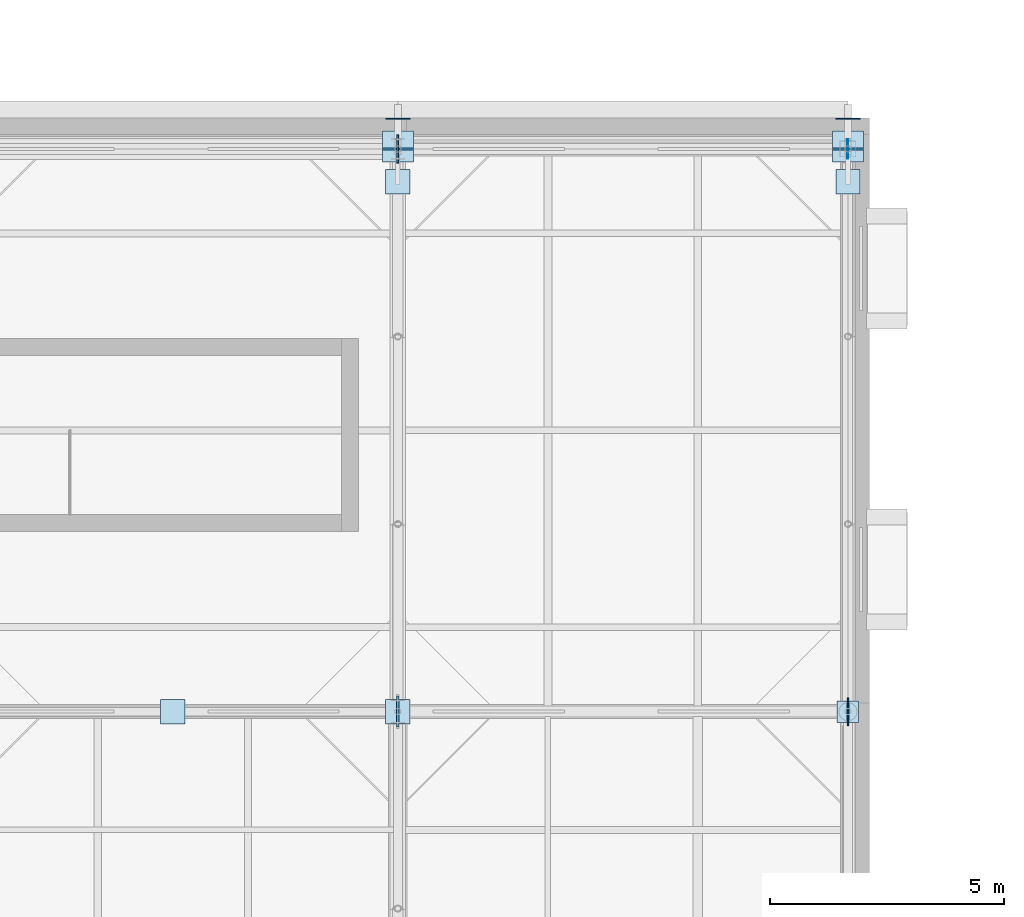
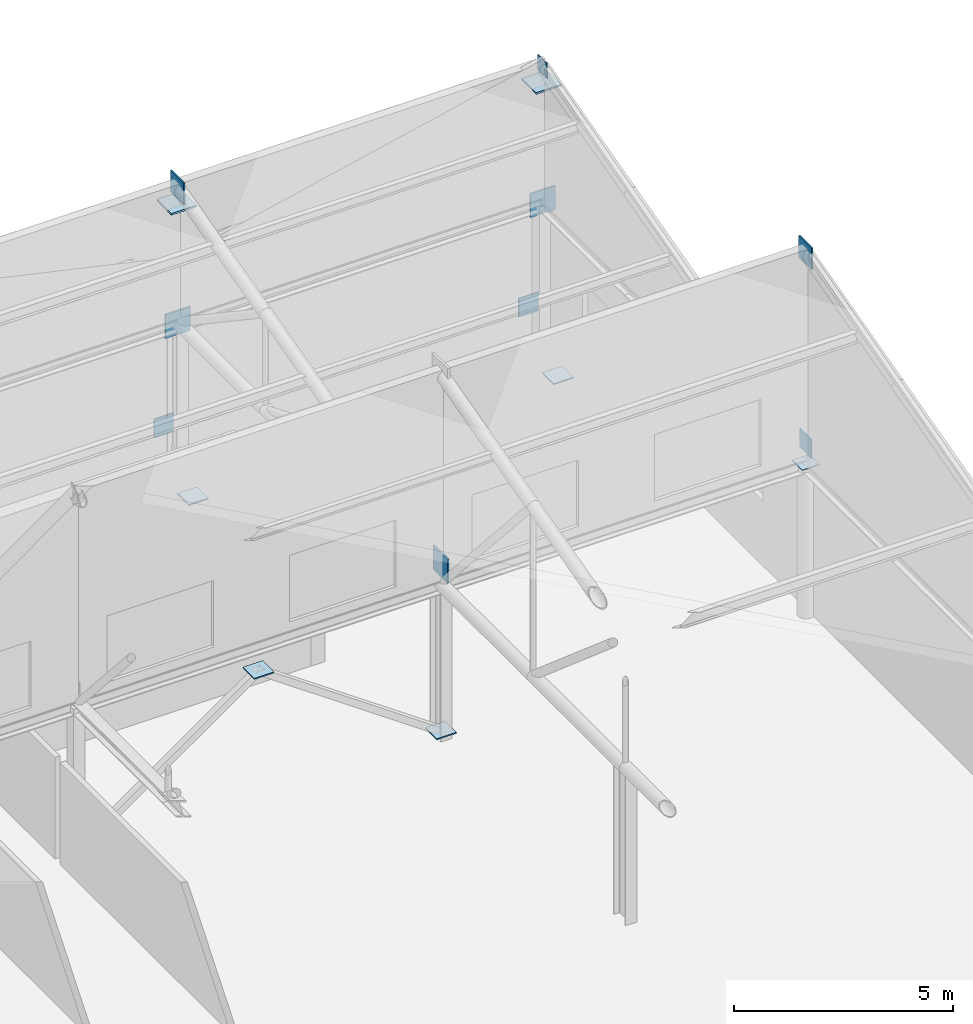
# One storey, part 76 of 89: 16 plates.
"""IFC4 building model written with IfcOpenShell, lengths in metres."""

from ifc_helpers import new_model, si_unit, direction, frame, origin, origin_2d, place, context, subcontext, project, spatial, rectangle, extrude, material, layer, layer_set, type_object, element, save


model = new_model("IFC4")

# Units and contexts
model_context = context("Model", 3, precision=1e-05, world=origin(), true_north=direction((0.0, 1.0)))
body_context = subcontext(model_context, "Body", "Model", "MODEL_VIEW")
ifc_project = project(units=[si_unit("LENGTHUNIT", "METRE"), si_unit("AREAUNIT", "SQUARE_METRE"), si_unit("VOLUMEUNIT", "CUBIC_METRE"), si_unit("PLANEANGLEUNIT", "RADIAN"), si_unit("MASSUNIT", "GRAM", prefix="KILO")], contexts=[model_context])

# Site, building, storey
site_placement = place(None, origin())
site = spatial("IfcSite", under=ifc_project, at=site_placement, CompositionType="ELEMENT")
building_placement = place(site_placement, origin())
building = spatial("IfcBuilding", under=site, at=building_placement, Name="Zereglee Splitstone Museum", CompositionType="ELEMENT")
storey_placement = place(building_placement, frame((0.0, 0.0, 21.300048828125)))
storey = spatial("IfcBuildingStorey", under=building, at=storey_placement, Name="L04", CompositionType="ELEMENT", Elevation=21.300048828125)

# Plates
ifc_material = material(Name="Steel S355J2", Category="steel")
ifc_layer_1 = layer(ifc_material, 0.02001953125)
ifc_layer_set_1 = layer_set([ifc_layer_1], Name="Steel S355J2")
plate_type_1 = type_object("IfcPlateType", Name="EC-01", PredefinedType="SHEET", material=ifc_layer_set_1)
plate_1_placement = place(storey_placement, frame((145.199951171875, 38.39990234375, 4.199951171875), z_axis=(0.0, 0.0, 1.0), x_axis=(1.0, 0.0, 0.0)))
element("IfcPlate", 1, at=plate_1_placement, inside=storey, type_object=plate_type_1, Name="Hollow Column End-Cap Plate EC-01 (145.2,38.4)", PredefinedType="SHEET", context=body_context, shape_type="SweptSolid", body=[
    extrude(rectangle(XDim=0.4599609375, YDim=0.4599609375, at=origin_2d()), origin(), (0.0, 0.0, 1.0), 0.02001953125),
])
ifc_layer_2 = layer(ifc_material, 0.02001953125)
ifc_layer_set_2 = layer_set([ifc_layer_2], Name="Steel S355J2")
plate_type_2 = type_object("IfcPlateType", Name="NP-05", PredefinedType="SHEET", material=ifc_layer_set_2)
plate_2_placement = place(storey_placement, frame((145.199951171875, 50.39990234375, 7.739990234375), z_axis=(0.0, 0.0, 1.0), x_axis=(1.0, 0.0, 0.0)))
element("IfcPlate", 2, at=plate_2_placement, inside=storey, type_object=plate_type_2, Name="Sawtooth Truss Node Plate TN-08-3.3", PredefinedType="SHEET", context=body_context, shape_type="SweptSolid", body=[
    extrude(rectangle(XDim=0.02001953125, YDim=0.419921875, at=origin_2d()), origin(), (0.0, 0.0, 1.0), 0.419921875),
])
ifc_layer_3 = layer(ifc_material, 0.030029296875)
ifc_layer_set_3 = layer_set([ifc_layer_3], Name="Steel S355J2")
plate_type_3 = type_object("IfcPlateType", Name="NP-04", PredefinedType="SHEET", material=ifc_layer_set_3)
plate_3_placement = place(storey_placement, frame((145.199951171875, 38.39990234375, 4.489990234375), z_axis=(0.0, 0.0, 1.0), x_axis=(1.0, 0.0, 0.0)))
element("IfcPlate", 3, at=plate_3_placement, inside=storey, type_object=plate_type_3, Name="Sawtooth Truss Node Plate TN-08-3.0", PredefinedType="SHEET", context=body_context, shape_type="SweptSolid", body=[
    extrude(rectangle(XDim=0.030029296875, YDim=0.52001953125, at=origin_2d()), origin(), (0.0, 0.0, 1.0), 0.52001953125),
])
for number, where, z_axis, x_axis, name in (
    (4, (135.60009765625, 38.39990234375, 0.10498046875), (0.0, 0.0, 1.0), (1.0, 0.0, 0.0), "CBF Brace Gusset Cap L04-014"),
    (5, (130.800048828125, 38.39990234375, 3.46484375), (0.0, 0.0, 1.0), (1.0, 0.0, 0.0), "CBF Brace Gusset Cap L04-014"),
    (6, (135.60009765625, 49.699951171875, -0.23486328125), (0.0, 0.0, 1.0), (1.0, 0.0, 0.0), "Facet Tie Seal Plate FH-V2NE"),
):
    element("IfcPlate", number, at=place(storey_placement, frame(where, z_axis=z_axis, x_axis=x_axis)), inside=storey, type_object=plate_type_3, Name=name, PredefinedType="SHEET", context=body_context, shape_type="SweptSolid", body=[
        extrude(rectangle(XDim=0.52001953125, YDim=0.52001953125, at=origin_2d()), origin(), (0.0, 0.0, 1.0), 0.030029296875),
    ])
plate_4_placement = place(storey_placement, frame((135.60009765625, 51.04443359375, 0.679931640625), z_axis=(0.0, 0.0, 1.0), x_axis=(1.0, 0.0, 0.0)))
element("IfcPlate", 7, at=plate_4_placement, inside=storey, type_object=plate_type_3, Name="Facet Tie Seal Plate FH-V2NE", PredefinedType="SHEET", context=body_context, shape_type="SweptSolid", body=[
    extrude(rectangle(XDim=0.52001953125, YDim=0.030029296875, at=origin_2d()), origin(), (0.0, 0.0, 1.0), 0.52001953125),
])
plate_5_placement = place(storey_placement, frame((145.199951171875, 49.699951171875, -0.23486328125), z_axis=(0.0, 0.0, 1.0), x_axis=(1.0, 0.0, 0.0)))
element("IfcPlate", 8, at=plate_5_placement, inside=storey, type_object=plate_type_3, Name="Facet Tie Seal Plate FH-V2NE", PredefinedType="SHEET", context=body_context, shape_type="SweptSolid", body=[
    extrude(rectangle(XDim=0.52001953125, YDim=0.52001953125, at=origin_2d()), origin(), (0.0, 0.0, 1.0), 0.030029296875),
])
plate_6_placement = place(storey_placement, frame((145.199951171875, 51.04443359375, 0.679931640625), z_axis=(0.0, 0.0, 1.0), x_axis=(1.0, 0.0, 0.0)))
element("IfcPlate", 9, at=plate_6_placement, inside=storey, type_object=plate_type_3, Name="Facet Tie Seal Plate FH-V2NE", PredefinedType="SHEET", context=body_context, shape_type="SweptSolid", body=[
    extrude(rectangle(XDim=0.52001953125, YDim=0.030029296875, at=origin_2d()), origin(), (0.0, 0.0, 1.0), 0.52001953125),
])
ifc_layer_4 = layer(ifc_material, 0.0400390625)
ifc_layer_set_4 = layer_set([ifc_layer_4], Name="Steel S355J2")
plate_type_4 = type_object("IfcPlateType", Name="NP-03", PredefinedType="SHEET", material=ifc_layer_set_4)
for number, where, z_axis, x_axis, name in (
    (10, (135.60009765625, 50.39990234375, 7.64990234375), (0.0, 0.0, 1.0), (1.0, 0.0, 0.0), "Sawtooth Truss Node Plate TN-07-3.3"),
    (11, (145.199951171875, 38.39990234375, 9.75), (0.0, 0.0, 1.0), (1.0, 0.0, 0.0), "Sawtooth Truss Node Plate TN-08-2.4"),
):
    element("IfcPlate", number, at=place(storey_placement, frame(where, z_axis=z_axis, x_axis=x_axis)), inside=storey, type_object=plate_type_4, Name=name, PredefinedType="SHEET", context=body_context, shape_type="SweptSolid", body=[
        extrude(rectangle(XDim=0.0400390625, YDim=0.60009765625, at=origin_2d()), origin(), (0.0, 0.0, 1.0), 0.60009765625),
    ])
ifc_layer_5 = layer(ifc_material, 0.050048828125)
ifc_layer_set_5 = layer_set([ifc_layer_5], Name="Steel S355J2")
plate_type_5 = type_object("IfcPlateType", Name="NP-02", PredefinedType="SHEET", material=ifc_layer_set_5)
plate_7_placement = place(storey_placement, frame((135.60009765625, 38.39990234375, 4.419921875), z_axis=(0.0, 0.0, 1.0), x_axis=(1.0, 0.0, 0.0)))
element("IfcPlate", 12, at=plate_7_placement, inside=storey, type_object=plate_type_5, Name="Sawtooth Truss Node Plate TN-07-3.0", PredefinedType="SHEET", context=body_context, shape_type="SweptSolid", body=[
    extrude(rectangle(XDim=0.050048828125, YDim=0.659912109375, at=origin_2d()), origin(), (0.0, 0.0, 1.0), 0.659912109375),
])
for number, where, z_axis, x_axis, name in (
    (13, (135.60009765625, 50.39990234375, 3.8701171875), (0.0, 0.0, 1.0), (1.0, 0.0, 0.0), "Sawtooth Bottom Chord End Cap ST-07"),
    (14, (145.199951171875, 50.39990234375, 3.8701171875), (0.0, 0.0, 1.0), (1.0, 0.0, 0.0), "Sawtooth Bottom Chord End Cap ST-08"),
):
    element("IfcPlate", number, at=place(storey_placement, frame(where, z_axis=z_axis, x_axis=x_axis)), inside=storey, type_object=plate_type_5, Name=name, PredefinedType="SHEET", context=body_context, shape_type="SweptSolid", body=[
        extrude(rectangle(XDim=0.659912109375, YDim=0.050048828125, at=origin_2d()), origin(), (0.0, 0.0, 1.0), 0.659912109375),
    ])
for number, where, z_axis, x_axis, name in (
    (15, (135.60009765625, 50.447509765625, 7.455078125), (0.0, 0.0, 1.0), (1.0, 0.0, 0.0), "Facet Strut Seal Plate FH-V2NE"),
    (16, (145.199951171875, 50.447509765625, 7.455078125), (0.0, 0.0, 1.0), (1.0, 0.0, 0.0), "Facet Strut Seal Plate FH-V2NE"),
):
    element("IfcPlate", number, at=place(storey_placement, frame(where, z_axis=z_axis, x_axis=x_axis)), inside=storey, type_object=plate_type_5, Name=name, PredefinedType="SHEET", context=body_context, shape_type="SweptSolid", body=[
        extrude(rectangle(XDim=0.659912109375, YDim=0.659912109375, at=origin_2d()), origin(), (0.0, 0.0, 1.0), 0.050048828125),
    ])

save(model, "model.ifc")
